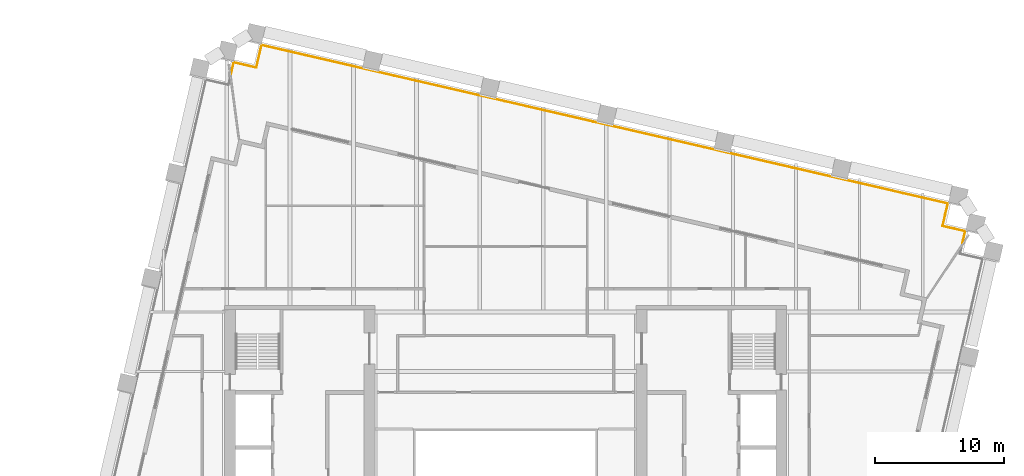
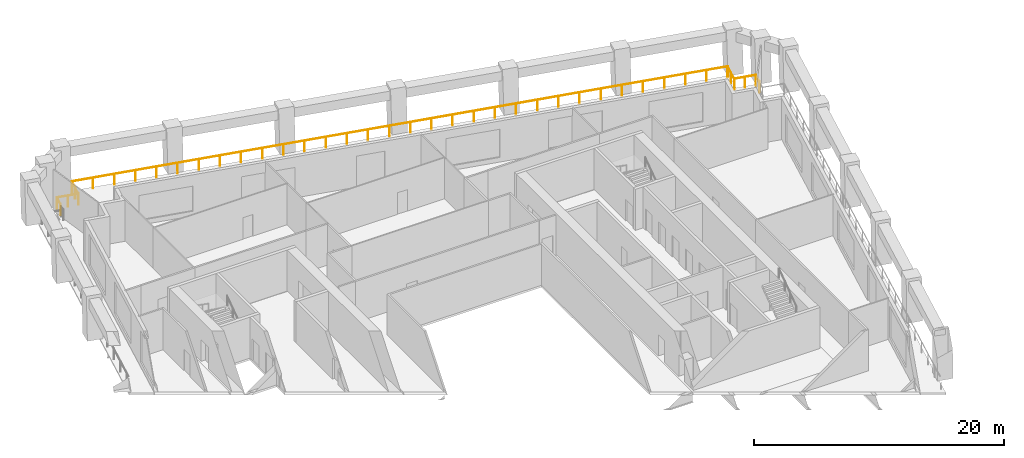
# One storey, part 10 of 10: 1 railing.
"""IFC4 building model written with IfcOpenShell, lengths in metres."""

from ifc_helpers import new_model, si_unit, direction, frame, origin, origin_2d, place, context, subcontext, project, spatial, circle, extrude, material, type_object, element, save


model = new_model("IFC4")

# Units and contexts
model_context = context("Model", 3, precision=1e-05, world=origin(), true_north=direction((0.0, 1.0)))
body_context = subcontext(model_context, "Body", "Model", "MODEL_VIEW")
ifc_project = project(units=[si_unit("LENGTHUNIT", "METRE"), si_unit("AREAUNIT", "SQUARE_METRE"), si_unit("VOLUMEUNIT", "CUBIC_METRE"), si_unit("PLANEANGLEUNIT", "RADIAN"), si_unit("MASSUNIT", "GRAM", prefix="KILO")], contexts=[model_context])

# Site, building, storey
site_placement = place(None, origin())
site = spatial("IfcSite", under=ifc_project, at=site_placement, CompositionType="ELEMENT")
building_placement = place(site_placement, origin())
building = spatial("IfcBuilding", under=site, at=building_placement, Name="Ogive Exchange Tower", CompositionType="ELEMENT")
storey_placement = place(building_placement, frame((0.0, 0.0, 143.39990234375)))
storey = spatial("IfcBuildingStorey", under=building, at=storey_placement, Name="L31", CompositionType="ELEMENT", Elevation=143.39990234375)

# Railing
ifc_material = material(Name="Stainless steel 316", Category="steel")
railing_type = type_object("IfcRailingType", Name="Guard 1100 stainless steel and glass", PredefinedType="GUARDRAIL", material=ifc_material)
railing_placement = place(storey_placement, frame((-21.349609375, 43.741943359375, -0.0498046875)))
element("IfcRailing", 1, at=railing_placement, inside=storey, type_object=railing_type, Name="Loggia guard 3", PredefinedType="GUARDRAIL", context=body_context, shape_type="SweptSolid", body=[
    extrude(circle(Radius=0.02392578125, at=origin_2d()), frame((0.0, 0.0, 1.076171875), z_axis=(0.224897972877, 0.974382318085, 0.0), x_axis=(-0.974382318085, 0.224897972877, 0.0)), (0.0, 0.0, 1.0), 0.927001953125),
    extrude(circle(Radius=0.02392578125, at=origin_2d()), frame((0.20849609375, 0.9033203125, 1.076171875), z_axis=(0.974356896201, -0.225008086135, 0.0), x_axis=(0.225008086135, 0.974356896201, 0.0)), (0.0, 0.0, 1.0), 1.800048828125),
    extrude(circle(Radius=0.02392578125, at=origin_2d()), frame((1.96240234375, 0.498291015625, 1.076171875), z_axis=(0.224879318197, 0.974386623598, 0.0), x_axis=(-0.974386623598, 0.224879318197, 0.0)), (0.0, 0.0, 1.0), 1.800048828125),
    extrude(circle(Radius=0.02392578125, at=origin_2d()), frame((2.3671875, 2.252197265625, 1.076171875), z_axis=(0.974370076807, -0.224951002271, 0.0), x_axis=(0.224951002271, 0.974370076807, 0.0)), (0.0, 0.0, 1.0), 54.76025390625),
    extrude(circle(Radius=0.02392578125, at=origin_2d()), frame((55.723876953125, -10.066162109375, 1.076171875), z_axis=(-0.225008086135, -0.974356896201, 0.0), x_axis=(0.974356896201, -0.225008086135, 0.0)), (0.0, 0.0, 1.0), 1.800048828125),
    extrude(circle(Radius=0.02392578125, at=origin_2d()), frame((55.31884765625, -11.820068359375, 1.076171875), z_axis=(0.974386623598, -0.224879318197, 0.0), x_axis=(0.224879318197, 0.974386623598, 0.0)), (0.0, 0.0, 1.0), 1.800048828125),
    extrude(circle(Radius=0.02392578125, at=origin_2d()), frame((57.07275390625, -12.224853515625, 1.076171875), z_axis=(-0.224955696169, -0.974368993124, 0.0), x_axis=(0.974368993124, -0.224955696169, 0.0)), (0.0, 0.0, 1.0), 0.9267578125),
    extrude(circle(Radius=0.02099609375, at=origin_2d()), origin(), (0.0, 0.0, 1.0), 1.052001953125),
    extrude(circle(Radius=0.02099609375, at=origin_2d()), frame((0.20849609375, 0.9033203125, 0.0)), (0.0, 0.0, 1.0), 1.052001953125),
    extrude(circle(Radius=0.02099609375, at=origin_2d()), frame((1.08544921875, 0.70068359375, 0.0)), (0.0, 0.0, 1.0), 1.052001953125),
    extrude(circle(Radius=0.02099609375, at=origin_2d()), frame((1.96240234375, 0.498291015625, 0.0)), (0.0, 0.0, 1.0), 1.052001953125),
    extrude(circle(Radius=0.02099609375, at=origin_2d()), frame((2.164794921875, 1.375244140625, 0.0)), (0.0, 0.0, 1.0), 1.052001953125),
    extrude(circle(Radius=0.02099609375, at=origin_2d()), frame((2.3671875, 2.252197265625, 0.0)), (0.0, 0.0, 1.0), 1.052001953125),
    extrude(circle(Radius=0.02099609375, at=origin_2d()), frame((4.08837890625, 1.854736328125, 0.0)), (0.0, 0.0, 1.0), 1.052001953125),
    extrude(circle(Radius=0.02099609375, at=origin_2d()), frame((5.8095703125, 1.45751953125, 0.0)), (0.0, 0.0, 1.0), 1.052001953125),
    extrude(circle(Radius=0.02099609375, at=origin_2d()), frame((7.53076171875, 1.06005859375, 0.0)), (0.0, 0.0, 1.0), 1.052001953125),
    extrude(circle(Radius=0.02099609375, at=origin_2d()), frame((9.251953125, 0.662841796875, 0.0)), (0.0, 0.0, 1.0), 1.052001953125),
    extrude(circle(Radius=0.02099609375, at=origin_2d()), frame((10.97314453125, 0.265380859375, 0.0)), (0.0, 0.0, 1.0), 1.052001953125),
    extrude(circle(Radius=0.02099609375, at=origin_2d()), frame((12.6943359375, -0.132080078125, 0.0)), (0.0, 0.0, 1.0), 1.052001953125),
    extrude(circle(Radius=0.02099609375, at=origin_2d()), frame((14.41552734375, -0.529296875, 0.0)), (0.0, 0.0, 1.0), 1.052001953125),
    extrude(circle(Radius=0.02099609375, at=origin_2d()), frame((16.13671875, -0.9267578125, 0.0)), (0.0, 0.0, 1.0), 1.052001953125),
    extrude(circle(Radius=0.02099609375, at=origin_2d()), frame((17.85791015625, -1.32421875, 0.0)), (0.0, 0.0, 1.0), 1.052001953125),
    extrude(circle(Radius=0.02099609375, at=origin_2d()), frame((19.5791015625, -1.721435546875, 0.0)), (0.0, 0.0, 1.0), 1.052001953125),
    extrude(circle(Radius=0.02099609375, at=origin_2d()), frame((21.30029296875, -2.118896484375, 0.0)), (0.0, 0.0, 1.0), 1.052001953125),
    extrude(circle(Radius=0.02099609375, at=origin_2d()), frame((23.021484375, -2.51611328125, 0.0)), (0.0, 0.0, 1.0), 1.052001953125),
    extrude(circle(Radius=0.02099609375, at=origin_2d()), frame((24.74267578125, -2.91357421875, 0.0)), (0.0, 0.0, 1.0), 1.052001953125),
    extrude(circle(Radius=0.02099609375, at=origin_2d()), frame((26.4638671875, -3.31103515625, 0.0)), (0.0, 0.0, 1.0), 1.052001953125),
    extrude(circle(Radius=0.02099609375, at=origin_2d()), frame((28.18505859375, -3.708251953125, 0.0)), (0.0, 0.0, 1.0), 1.052001953125),
    extrude(circle(Radius=0.02099609375, at=origin_2d()), frame((29.906005859375, -4.105712890625, 0.0)), (0.0, 0.0, 1.0), 1.052001953125),
    extrude(circle(Radius=0.02099609375, at=origin_2d()), frame((31.627197265625, -4.5029296875, 0.0)), (0.0, 0.0, 1.0), 1.052001953125),
    extrude(circle(Radius=0.02099609375, at=origin_2d()), frame((33.348388671875, -4.900390625, 0.0)), (0.0, 0.0, 1.0), 1.052001953125),
    extrude(circle(Radius=0.02099609375, at=origin_2d()), frame((35.069580078125, -5.2978515625, 0.0)), (0.0, 0.0, 1.0), 1.052001953125),
    extrude(circle(Radius=0.02099609375, at=origin_2d()), frame((36.790771484375, -5.695068359375, 0.0)), (0.0, 0.0, 1.0), 1.052001953125),
    extrude(circle(Radius=0.02099609375, at=origin_2d()), frame((38.511962890625, -6.092529296875, 0.0)), (0.0, 0.0, 1.0), 1.052001953125),
    extrude(circle(Radius=0.02099609375, at=origin_2d()), frame((40.233154296875, -6.48974609375, 0.0)), (0.0, 0.0, 1.0), 1.052001953125),
    extrude(circle(Radius=0.02099609375, at=origin_2d()), frame((41.954345703125, -6.88720703125, 0.0)), (0.0, 0.0, 1.0), 1.052001953125),
    extrude(circle(Radius=0.02099609375, at=origin_2d()), frame((43.675537109375, -7.28466796875, 0.0)), (0.0, 0.0, 1.0), 1.052001953125),
    extrude(circle(Radius=0.02099609375, at=origin_2d()), frame((45.396728515625, -7.681884765625, 0.0)), (0.0, 0.0, 1.0), 1.052001953125),
    extrude(circle(Radius=0.02099609375, at=origin_2d()), frame((47.117919921875, -8.079345703125, 0.0)), (0.0, 0.0, 1.0), 1.052001953125),
    extrude(circle(Radius=0.02099609375, at=origin_2d()), frame((48.839111328125, -8.476806640625, 0.0)), (0.0, 0.0, 1.0), 1.052001953125),
    extrude(circle(Radius=0.02099609375, at=origin_2d()), frame((50.560302734375, -8.8740234375, 0.0)), (0.0, 0.0, 1.0), 1.052001953125),
    extrude(circle(Radius=0.02099609375, at=origin_2d()), frame((52.281494140625, -9.271484375, 0.0)), (0.0, 0.0, 1.0), 1.052001953125),
    extrude(circle(Radius=0.02099609375, at=origin_2d()), frame((54.002685546875, -9.668701171875, 0.0)), (0.0, 0.0, 1.0), 1.052001953125),
    extrude(circle(Radius=0.02099609375, at=origin_2d()), frame((55.723876953125, -10.066162109375, 0.0)), (0.0, 0.0, 1.0), 1.052001953125),
    extrude(circle(Radius=0.02099609375, at=origin_2d()), frame((55.521484375, -10.943115234375, 0.0)), (0.0, 0.0, 1.0), 1.052001953125),
    extrude(circle(Radius=0.02099609375, at=origin_2d()), frame((55.31884765625, -11.820068359375, 0.0)), (0.0, 0.0, 1.0), 1.052001953125),
    extrude(circle(Radius=0.02099609375, at=origin_2d()), frame((56.19580078125, -12.0224609375, 0.0)), (0.0, 0.0, 1.0), 1.052001953125),
    extrude(circle(Radius=0.02099609375, at=origin_2d()), frame((57.07275390625, -12.224853515625, 0.0)), (0.0, 0.0, 1.0), 1.052001953125),
    extrude(circle(Radius=0.02099609375, at=origin_2d()), frame((56.8642578125, -13.1279296875, 0.0)), (0.0, 0.0, 1.0), 1.052001953125),
])

save(model, "model.ifc")
